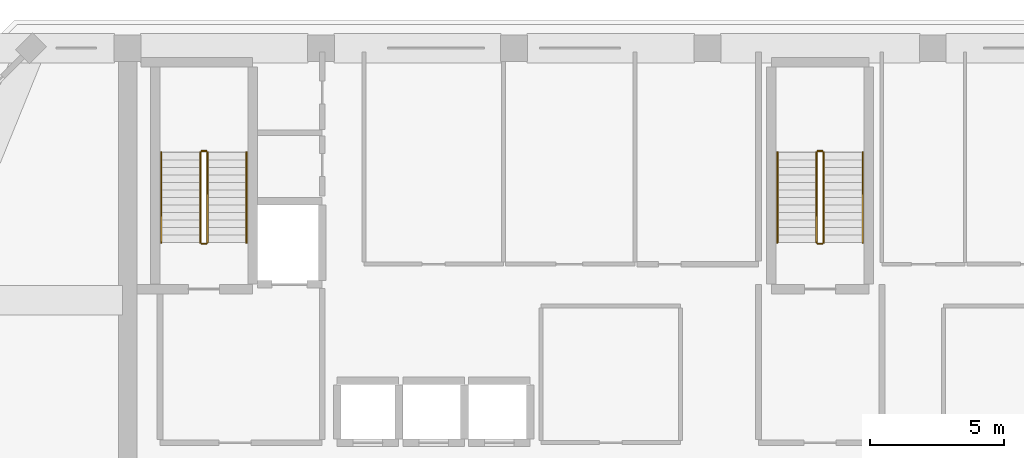
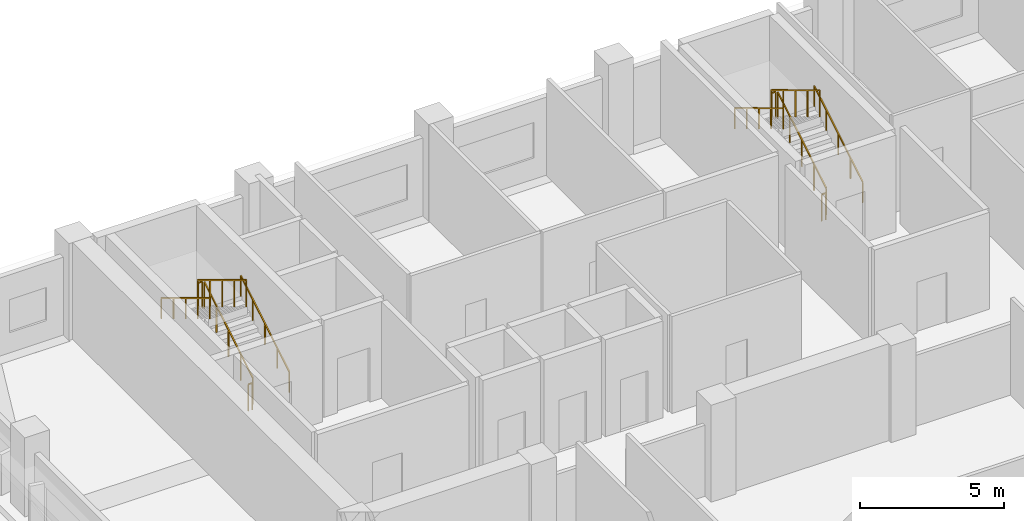
# One storey, part 11 of 12: 12 railings.
"""IFC4 building model written with IfcOpenShell, lengths in metres."""

import ifcopenshell
import ifcopenshell.guid

model = None  # the IFC model being written
_history = None  # IfcOwnerHistory: only IFC2X3 demands one
_inside = {}  # id of a spatial element -> (the spatial element, [elements in it])
_under = {}  # id of a project, library or spatial element -> (it, [spatial elements below it])
_declared = {}  # id of a project -> (the project, [libraries it declares])
_typed = {}  # id of a type object -> (the type object, [elements of that type])
_made_of = {}  # id of a material, layer set ... -> (it, [elements and type objects made of it])


def new_model(schema):
    """Start an empty IFC model of exactly this schema.

    Asked for "IFC4X3", IfcOpenShell would pick the latest addendum, in which some entities
    have other attributes; the version numbers below select the first issue.
    IFC2X3 requires an IfcOwnerHistory on every rooted entity: one is made here for all.
    """
    global model, _history
    if schema == "IFC4X3":
        model = ifcopenshell.file(schema_version=(4, 3, 0, 0))
    else:
        model = ifcopenshell.file(schema=schema)
    _inside.clear()
    _under.clear()
    _declared.clear()
    _typed.clear()
    _made_of.clear()
    _history = None
    if model.schema == "IFC2X3":
        org = make("IfcOrganization", Name="unknown")
        user = make(
            "IfcPersonAndOrganization",
            ThePerson=make("IfcPerson", FamilyName="unknown"),
            TheOrganization=org,
        )
        app = make(
            "IfcApplication",
            ApplicationDeveloper=org,
            Version="unknown",
            ApplicationFullName="unknown",
            ApplicationIdentifier="unknown",
        )
        _history = make(
            "IfcOwnerHistory",
            OwningUser=user,
            OwningApplication=app,
            ChangeAction="ADDED",
            CreationDate=0,
        )
    return model


def make(cls, **values):
    """One entity of the class cls with the attributes given. An attribute that is None is left unset."""
    return model.create_entity(
        cls, **{name: value for name, value in values.items() if value is not None}
    )


def rooted(cls, **values):
    """An entity with a GlobalId (a new one), such as an element, a storey or a relation."""
    return make(cls, GlobalId=ifcopenshell.guid.new(), OwnerHistory=_history, **values)


def si_unit(unit_type, name, prefix=None):
    """IfcSIUnit, for example si_unit("LENGTHUNIT", "METRE", prefix="MILLI")."""
    return make("IfcSIUnit", UnitType=unit_type, Prefix=prefix, Name=name)


def assignment(units):
    """IfcUnitAssignment: the units of a project."""
    return None if units is None else make("IfcUnitAssignment", Units=units)


def point(xyz):
    """IfcCartesianPoint."""
    return None if xyz is None else make("IfcCartesianPoint", Coordinates=xyz)


def direction(xyz):
    """IfcDirection."""
    return None if xyz is None else make("IfcDirection", DirectionRatios=xyz)


def frame(location, z_axis=None, x_axis=None):
    """IfcAxis2Placement3D, a coordinate frame: its origin and axes. An axis left out is left unset."""
    return make(
        "IfcAxis2Placement3D",
        Location=point(location),
        Axis=direction(z_axis),
        RefDirection=direction(x_axis),
    )


def frame_2d(location, x_axis=None):
    """IfcAxis2Placement2D, a coordinate frame in the plane: its origin and x axis."""
    return make(
        "IfcAxis2Placement2D", Location=point(location), RefDirection=direction(x_axis)
    )


def origin():
    """The frame at (0, 0, 0) with its axes left unset."""
    return frame((0.0, 0.0, 0.0))


def origin_2d():
    """The frame at (0, 0) in the plane with its x axis left unset."""
    return frame_2d((0.0, 0.0))


def place(relative_to, where):
    """IfcLocalPlacement: puts the frame where relative to a parent placement (None: the world)."""
    return make(
        "IfcLocalPlacement", PlacementRelTo=relative_to, RelativePlacement=where
    )


def context(
    kind, dimensions, precision=None, world=None, true_north=None, identifier=None
):
    """IfcGeometricRepresentationContext, for example the 3D "Model" context."""
    return make(
        "IfcGeometricRepresentationContext",
        ContextIdentifier=identifier,
        ContextType=kind,
        CoordinateSpaceDimension=dimensions,
        Precision=precision,
        WorldCoordinateSystem=world,
        TrueNorth=true_north,
    )


def subcontext(parent, identifier, kind, view, scale=None):
    """IfcGeometricRepresentationSubContext, for example "Body" below "Model"."""
    return make(
        "IfcGeometricRepresentationSubContext",
        ContextIdentifier=identifier,
        ContextType=kind,
        ParentContext=parent,
        TargetScale=scale,
        TargetView=view,
    )


def project(units=None, contexts=None):
    """IfcProject with its units and contexts."""
    return rooted(
        "IfcProject",
        Name="project",
        RepresentationContexts=contexts,
        UnitsInContext=assignment(units),
    )


def spatial(cls, under=None, at=None, **own):
    """A site, building, storey or space (cls), placed at a placement, below another one or the project."""
    s = rooted(cls, ObjectPlacement=at, **own)
    if under is not None:
        _under.setdefault(under.id(), (under, []))[1].append(s)
    return s


def profile(cls, at=None, kind="AREA", **sizes):
    """A parametric profile (cls). Its sizes go by their IFC names, for example OverallWidth=200.0."""
    return make(cls, ProfileType=kind, Position=at, **sizes)


def rectangle(**sizes):
    """IfcRectangleProfileDef."""
    return profile("IfcRectangleProfileDef", **sizes)


def extrude(swept, where, along, depth):
    """IfcExtrudedAreaSolid: the profile swept, set in the frame where, extruded along a direction by depth."""
    return make(
        "IfcExtrudedAreaSolid",
        SweptArea=swept,
        Position=where,
        ExtrudedDirection=direction(along),
        Depth=depth,
    )


def shape(context_of_items, identifier, shape_type, items):
    """IfcShapeRepresentation: the items that make up one representation, for example the "Body"."""
    return make(
        "IfcShapeRepresentation",
        ContextOfItems=context_of_items,
        RepresentationIdentifier=identifier,
        RepresentationType=shape_type,
        Items=items,
    )


def material(Name=None, Category=None):
    """IfcMaterial."""
    return make("IfcMaterial", Name=Name, Category=Category)


def made_of(thing, what):
    """Note that an element or type object is made of a material, layer set ...; save() writes the relation."""
    if what is not None:
        _made_of.setdefault(what.id(), (what, []))[1].append(thing)
    return thing


def type_object(cls, material=None, **own):
    """A type object (cls), such as IfcWallType, which elements share."""
    return made_of(rooted(cls, **own), material)


def element(
    cls,
    number,
    at=None,
    inside=None,
    cuts=None,
    type_object=None,
    material=None,
    context=None,
    identifier="Body",
    shape_type=None,
    held_by="IfcProductDefinitionShape",
    body=None,
    shapes=None,
    **own,
):
    """One element of the class cls, such as IfcWall. Its Tag is "e" and its number.

    at: its placement. inside: the storey or other place that contains it. cuts: it is an
    opening in that element (IfcRelVoidsElement). A single representation is given by context,
    identifier, shape_type and body (its items); several are given by shapes. held_by: the class
    of the entity that holds the representations. save() writes the other relations.
    """
    e = rooted(cls, Tag="e%d" % number, ObjectPlacement=at, **own)
    if body is not None:
        shapes = [shape(context, identifier, shape_type, body)]
    if shapes is not None:
        e.Representation = make(held_by, Representations=shapes)
    if inside is not None:
        _inside.setdefault(inside.id(), (inside, []))[1].append(e)
    if cuts is not None:
        rooted(
            "IfcRelVoidsElement", RelatingBuildingElement=cuts, RelatedOpeningElement=e
        )
    if type_object is not None:
        _typed.setdefault(type_object.id(), (type_object, []))[1].append(e)
    return made_of(e, material)


def aggregate(whole, parts):
    """IfcRelAggregates: a whole, such as a stair, and the parts it consists of."""
    return rooted("IfcRelAggregates", RelatingObject=whole, RelatedObjects=parts)


def save(model, path):
    """Write the relations noted so far, then the file.

    IfcRelAggregates (storeys below a building ...), IfcRelContainedInSpatialStructure (elements
    in a storey), IfcRelDefinesByType, IfcRelAssociatesMaterial and IfcRelDeclares: one each for
    every whole, place, type object, material and project.
    """
    for whole, parts in _under.values():
        aggregate(whole, parts)
    for where, things in _inside.values():
        rooted(
            "IfcRelContainedInSpatialStructure",
            RelatedElements=things,
            RelatingStructure=where,
        )
    for kind, things in _typed.values():
        rooted("IfcRelDefinesByType", RelatedObjects=things, RelatingType=kind)
    for what, things in _made_of.values():
        rooted("IfcRelAssociatesMaterial", RelatedObjects=things, RelatingMaterial=what)
    for by, libraries in _declared.values():
        rooted("IfcRelDeclares", RelatingContext=by, RelatedDefinitions=libraries)
    model.write(path)


model = new_model("IFC4")

# Units and contexts
model_context = context("Model", 3, precision=1e-05, world=origin(), true_north=direction((0.0, 1.0)))
body_context = subcontext(model_context, "Body", "Model", "MODEL_VIEW")
ifc_project = project(units=[si_unit("LENGTHUNIT", "METRE"), si_unit("AREAUNIT", "SQUARE_METRE"), si_unit("VOLUMEUNIT", "CUBIC_METRE"), si_unit("PLANEANGLEUNIT", "RADIAN"), si_unit("MASSUNIT", "GRAM", prefix="KILO")], contexts=[model_context])

# Site, building, storey
site_placement = place(None, origin())
site = spatial("IfcSite", under=ifc_project, at=site_placement, CompositionType="ELEMENT")
building_placement = place(site_placement, origin())
building = spatial("IfcBuilding", under=site, at=building_placement, Name="Kaelvorn Grand Hotel", CompositionType="ELEMENT")
storey_placement = place(building_placement, frame((0.0, 0.0, 285.89990234375)))
storey = spatial("IfcBuildingStorey", under=building, at=storey_placement, Name="L70", CompositionType="ELEMENT", Elevation=285.89990234375)

# Railings
ifc_material = material(Name="Stainless Steel", Category="steel")
railing_type_1 = type_object("IfcRailingType", Name="RL-HANDRAIL-900", PredefinedType="HANDRAIL", material=ifc_material)
railing_1_placement = place(storey_placement, frame((20.6298828125, 41.760009765625, 0.16943359375)))
element("IfcRailing", 1, at=railing_1_placement, inside=storey, type_object=railing_type_1, Name="L70 ST1 stair handrail 1", PredefinedType="HANDRAIL", context=body_context, shape_type="SweptSolid", body=[
    extrude(rectangle(XDim=0.048095703125, YDim=0.048095703125, at=origin_2d()), frame((0.0, 0.0, 0.8759765625), z_axis=(0.0, 0.855836976705, 0.517245656632), x_axis=(-1.0, 0.0, 0.0)), (0.0, 0.0, 1.0), 3.926025390625),
    extrude(rectangle(XDim=0.0419921875, YDim=0.0419921875, at=origin_2d()), origin(), (0.0, 0.0, 1.0), 0.851806640625),
    extrude(rectangle(XDim=0.0419921875, YDim=0.0419921875, at=origin_2d()), frame((0.0, 0.840087890625, 0.5078125)), (0.0, 0.0, 1.0), 0.851806640625),
    extrude(rectangle(XDim=0.0419921875, YDim=0.0419921875, at=origin_2d()), frame((0.0, 1.68017578125, 1.015380859375)), (0.0, 0.0, 1.0), 0.851806640625),
    extrude(rectangle(XDim=0.0419921875, YDim=0.0419921875, at=origin_2d()), frame((0.0, 2.52001953125, 1.52294921875)), (0.0, 0.0, 1.0), 0.851806640625),
    extrude(rectangle(XDim=0.0419921875, YDim=0.0419921875, at=origin_2d()), frame((0.0, 3.360107421875, 2.03076171875)), (0.0, 0.0, 1.0), 0.851806640625),
])
railing_2_placement = place(storey_placement, frame((17.449951171875, 45.1201171875, 2.369384765625)))
element("IfcRailing", 2, at=railing_2_placement, inside=storey, type_object=railing_type_1, Name="L70 ST1 stair handrail 2", PredefinedType="HANDRAIL", context=body_context, shape_type="SweptSolid", body=[
    extrude(rectangle(XDim=0.048095703125, YDim=0.048095703125, at=origin_2d()), frame((0.0, 0.0, 0.8759765625), z_axis=(0.0, -0.855836976705, 0.517245656632), x_axis=(1.0, 0.0, 0.0)), (0.0, 0.0, 1.0), 3.926025390625),
    extrude(rectangle(XDim=0.0419921875, YDim=0.0419921875, at=origin_2d()), origin(), (0.0, 0.0, 1.0), 0.851806640625),
    extrude(rectangle(XDim=0.0419921875, YDim=0.0419921875, at=origin_2d()), frame((0.0, -0.840087890625, 0.5078125)), (0.0, 0.0, 1.0), 0.851806640625),
    extrude(rectangle(XDim=0.0419921875, YDim=0.0419921875, at=origin_2d()), frame((0.0, -1.68017578125, 1.015380859375)), (0.0, 0.0, 1.0), 0.851806640625),
    extrude(rectangle(XDim=0.0419921875, YDim=0.0419921875, at=origin_2d()), frame((0.0, -2.52001953125, 1.52294921875)), (0.0, 0.0, 1.0), 0.851806640625),
    extrude(rectangle(XDim=0.0419921875, YDim=0.0419921875, at=origin_2d()), frame((0.0, -3.360107421875, 2.03076171875)), (0.0, 0.0, 1.0), 0.851806640625),
])
railing_3_placement = place(storey_placement, frame((43.590087890625, 41.760009765625, 0.16943359375)))
element("IfcRailing", 3, at=railing_3_placement, inside=storey, type_object=railing_type_1, Name="L70 ST2 stair handrail 1", PredefinedType="HANDRAIL", context=body_context, shape_type="SweptSolid", body=[
    extrude(rectangle(XDim=0.048095703125, YDim=0.048095703125, at=origin_2d()), frame((0.0, 0.0, 0.8759765625), z_axis=(0.0, 0.855836976705, 0.517245656632), x_axis=(-1.0, 0.0, 0.0)), (0.0, 0.0, 1.0), 3.926025390625),
    extrude(rectangle(XDim=0.0419921875, YDim=0.0419921875, at=origin_2d()), origin(), (0.0, 0.0, 1.0), 0.851806640625),
    extrude(rectangle(XDim=0.0419921875, YDim=0.0419921875, at=origin_2d()), frame((0.0, 0.840087890625, 0.5078125)), (0.0, 0.0, 1.0), 0.851806640625),
    extrude(rectangle(XDim=0.0419921875, YDim=0.0419921875, at=origin_2d()), frame((0.0, 1.68017578125, 1.015380859375)), (0.0, 0.0, 1.0), 0.851806640625),
    extrude(rectangle(XDim=0.0419921875, YDim=0.0419921875, at=origin_2d()), frame((0.0, 2.52001953125, 1.52294921875)), (0.0, 0.0, 1.0), 0.851806640625),
    extrude(rectangle(XDim=0.0419921875, YDim=0.0419921875, at=origin_2d()), frame((0.0, 3.360107421875, 2.03076171875)), (0.0, 0.0, 1.0), 0.851806640625),
])
railing_4_placement = place(storey_placement, frame((40.409912109375, 45.1201171875, 2.369384765625)))
element("IfcRailing", 4, at=railing_4_placement, inside=storey, type_object=railing_type_1, Name="L70 ST2 stair handrail 2", PredefinedType="HANDRAIL", context=body_context, shape_type="SweptSolid", body=[
    extrude(rectangle(XDim=0.048095703125, YDim=0.048095703125, at=origin_2d()), frame((0.0, 0.0, 0.8759765625), z_axis=(0.0, -0.855836976705, 0.517245656632), x_axis=(1.0, 0.0, 0.0)), (0.0, 0.0, 1.0), 3.926025390625),
    extrude(rectangle(XDim=0.0419921875, YDim=0.0419921875, at=origin_2d()), origin(), (0.0, 0.0, 1.0), 0.851806640625),
    extrude(rectangle(XDim=0.0419921875, YDim=0.0419921875, at=origin_2d()), frame((0.0, -0.840087890625, 0.5078125)), (0.0, 0.0, 1.0), 0.851806640625),
    extrude(rectangle(XDim=0.0419921875, YDim=0.0419921875, at=origin_2d()), frame((0.0, -1.68017578125, 1.015380859375)), (0.0, 0.0, 1.0), 0.851806640625),
    extrude(rectangle(XDim=0.0419921875, YDim=0.0419921875, at=origin_2d()), frame((0.0, -2.52001953125, 1.52294921875)), (0.0, 0.0, 1.0), 0.851806640625),
    extrude(rectangle(XDim=0.0419921875, YDim=0.0419921875, at=origin_2d()), frame((0.0, -3.360107421875, 2.03076171875)), (0.0, 0.0, 1.0), 0.851806640625),
])
railing_type_2 = type_object("IfcRailingType", Name="RL-STAIR-GUARD-1150", PredefinedType="BALUSTRADE", material=ifc_material)
railing_5_placement = place(storey_placement, frame((19.169921875, 41.760009765625, 0.16943359375)))
element("IfcRailing", 5, at=railing_5_placement, inside=storey, type_object=railing_type_2, Name="L70 ST1 stair guard 1", PredefinedType="BALUSTRADE", context=body_context, shape_type="SweptSolid", body=[
    extrude(rectangle(XDim=0.048095703125, YDim=0.048095703125, at=origin_2d()), frame((0.0, 0.0, 1.1259765625), z_axis=(0.0, 0.855836976705, 0.517245656632), x_axis=(-1.0, 0.0, 0.0)), (0.0, 0.0, 1.0), 3.926025390625),
    extrude(rectangle(XDim=0.0419921875, YDim=0.0419921875, at=origin_2d()), origin(), (0.0, 0.0, 1.0), 1.101806640625),
    extrude(rectangle(XDim=0.0419921875, YDim=0.0419921875, at=origin_2d()), frame((0.0, 0.840087890625, 0.5078125)), (0.0, 0.0, 1.0), 1.101806640625),
    extrude(rectangle(XDim=0.0419921875, YDim=0.0419921875, at=origin_2d()), frame((0.0, 1.68017578125, 1.015380859375)), (0.0, 0.0, 1.0), 1.101806640625),
    extrude(rectangle(XDim=0.0419921875, YDim=0.0419921875, at=origin_2d()), frame((0.0, 2.52001953125, 1.52294921875)), (0.0, 0.0, 1.0), 1.101806640625),
    extrude(rectangle(XDim=0.0419921875, YDim=0.0419921875, at=origin_2d()), frame((0.0, 3.360107421875, 2.03076171875)), (0.0, 0.0, 1.0), 1.101806640625),
])
railing_6_placement = place(storey_placement, frame((19.1201171875, 45.169921875, 2.2001953125)))
element("IfcRailing", 6, at=railing_6_placement, inside=storey, type_object=railing_type_2, Name="L70 ST1 stair guard 2", PredefinedType="BALUSTRADE", context=body_context, shape_type="SweptSolid", body=[
    extrude(rectangle(XDim=0.048095703125, YDim=0.048095703125, at=origin_2d()), frame((0.0, 0.0, 1.1259765625), z_axis=(-1.0, 0.0, 0.0), x_axis=(0.0, -1.0, 0.0)), (0.0, 0.0, 1.0), 0.16015625),
    extrude(rectangle(XDim=0.0419921875, YDim=0.0419921875, at=origin_2d()), origin(), (0.0, 0.0, 1.0), 1.101806640625),
    extrude(rectangle(XDim=0.0419921875, YDim=0.0419921875, at=origin_2d()), frame((-0.16015625, 0.0, 0.0)), (0.0, 0.0, 1.0), 1.101806640625),
])
railing_7_placement = place(storey_placement, frame((18.909912109375, 45.1201171875, 2.369384765625)))
element("IfcRailing", 7, at=railing_7_placement, inside=storey, type_object=railing_type_2, Name="L70 ST1 stair guard 3", PredefinedType="BALUSTRADE", context=body_context, shape_type="SweptSolid", body=[
    extrude(rectangle(XDim=0.048095703125, YDim=0.048095703125, at=origin_2d()), frame((0.0, 0.0, 1.1259765625), z_axis=(0.0, -0.855836976705, 0.517245656632), x_axis=(1.0, 0.0, 0.0)), (0.0, 0.0, 1.0), 3.926025390625),
    extrude(rectangle(XDim=0.0419921875, YDim=0.0419921875, at=origin_2d()), origin(), (0.0, 0.0, 1.0), 1.101806640625),
    extrude(rectangle(XDim=0.0419921875, YDim=0.0419921875, at=origin_2d()), frame((0.0, -0.840087890625, 0.5078125)), (0.0, 0.0, 1.0), 1.101806640625),
    extrude(rectangle(XDim=0.0419921875, YDim=0.0419921875, at=origin_2d()), frame((0.0, -1.68017578125, 1.015380859375)), (0.0, 0.0, 1.0), 1.101806640625),
    extrude(rectangle(XDim=0.0419921875, YDim=0.0419921875, at=origin_2d()), frame((0.0, -2.52001953125, 1.52294921875)), (0.0, 0.0, 1.0), 1.101806640625),
    extrude(rectangle(XDim=0.0419921875, YDim=0.0419921875, at=origin_2d()), frame((0.0, -3.360107421875, 2.03076171875)), (0.0, 0.0, 1.0), 1.101806640625),
])
railing_8_placement = place(storey_placement, frame((19.1201171875, 41.7099609375, 0.0)))
element("IfcRailing", 8, at=railing_8_placement, inside=storey, type_object=railing_type_2, Name="L70 ST1 stair guard 4", PredefinedType="BALUSTRADE", context=body_context, shape_type="SweptSolid", body=[
    extrude(rectangle(XDim=0.048095703125, YDim=0.048095703125, at=origin_2d()), frame((0.0, 0.0, 1.1259765625), z_axis=(-1.0, 0.0, 0.0), x_axis=(0.0, -1.0, 0.0)), (0.0, 0.0, 1.0), 0.16015625),
    extrude(rectangle(XDim=0.0419921875, YDim=0.0419921875, at=origin_2d()), origin(), (0.0, 0.0, 1.0), 1.101806640625),
    extrude(rectangle(XDim=0.0419921875, YDim=0.0419921875, at=origin_2d()), frame((-0.16015625, 0.0, 0.0)), (0.0, 0.0, 1.0), 1.101806640625),
])
railing_9_placement = place(storey_placement, frame((42.1298828125, 41.760009765625, 0.16943359375)))
element("IfcRailing", 9, at=railing_9_placement, inside=storey, type_object=railing_type_2, Name="L70 ST2 stair guard 1", PredefinedType="BALUSTRADE", context=body_context, shape_type="SweptSolid", body=[
    extrude(rectangle(XDim=0.048095703125, YDim=0.048095703125, at=origin_2d()), frame((0.0, 0.0, 1.1259765625), z_axis=(0.0, 0.855836976705, 0.517245656632), x_axis=(-1.0, 0.0, 0.0)), (0.0, 0.0, 1.0), 3.926025390625),
    extrude(rectangle(XDim=0.0419921875, YDim=0.0419921875, at=origin_2d()), origin(), (0.0, 0.0, 1.0), 1.101806640625),
    extrude(rectangle(XDim=0.0419921875, YDim=0.0419921875, at=origin_2d()), frame((0.0, 0.840087890625, 0.5078125)), (0.0, 0.0, 1.0), 1.101806640625),
    extrude(rectangle(XDim=0.0419921875, YDim=0.0419921875, at=origin_2d()), frame((0.0, 1.68017578125, 1.015380859375)), (0.0, 0.0, 1.0), 1.101806640625),
    extrude(rectangle(XDim=0.0419921875, YDim=0.0419921875, at=origin_2d()), frame((0.0, 2.52001953125, 1.52294921875)), (0.0, 0.0, 1.0), 1.101806640625),
    extrude(rectangle(XDim=0.0419921875, YDim=0.0419921875, at=origin_2d()), frame((0.0, 3.360107421875, 2.03076171875)), (0.0, 0.0, 1.0), 1.101806640625),
])
railing_10_placement = place(storey_placement, frame((42.080078125, 45.169921875, 2.2001953125)))
element("IfcRailing", 10, at=railing_10_placement, inside=storey, type_object=railing_type_2, Name="L70 ST2 stair guard 2", PredefinedType="BALUSTRADE", context=body_context, shape_type="SweptSolid", body=[
    extrude(rectangle(XDim=0.048095703125, YDim=0.048095703125, at=origin_2d()), frame((0.0, 0.0, 1.1259765625), z_axis=(-1.0, 0.0, 0.0), x_axis=(0.0, -1.0, 0.0)), (0.0, 0.0, 1.0), 0.16015625),
    extrude(rectangle(XDim=0.0419921875, YDim=0.0419921875, at=origin_2d()), origin(), (0.0, 0.0, 1.0), 1.101806640625),
    extrude(rectangle(XDim=0.0419921875, YDim=0.0419921875, at=origin_2d()), frame((-0.16015625, 0.0, 0.0)), (0.0, 0.0, 1.0), 1.101806640625),
])
railing_11_placement = place(storey_placement, frame((41.8701171875, 45.1201171875, 2.369384765625)))
element("IfcRailing", 11, at=railing_11_placement, inside=storey, type_object=railing_type_2, Name="L70 ST2 stair guard 3", PredefinedType="BALUSTRADE", context=body_context, shape_type="SweptSolid", body=[
    extrude(rectangle(XDim=0.048095703125, YDim=0.048095703125, at=origin_2d()), frame((0.0, 0.0, 1.1259765625), z_axis=(0.0, -0.855836976705, 0.517245656632), x_axis=(1.0, 0.0, 0.0)), (0.0, 0.0, 1.0), 3.926025390625),
    extrude(rectangle(XDim=0.0419921875, YDim=0.0419921875, at=origin_2d()), origin(), (0.0, 0.0, 1.0), 1.101806640625),
    extrude(rectangle(XDim=0.0419921875, YDim=0.0419921875, at=origin_2d()), frame((0.0, -0.840087890625, 0.5078125)), (0.0, 0.0, 1.0), 1.101806640625),
    extrude(rectangle(XDim=0.0419921875, YDim=0.0419921875, at=origin_2d()), frame((0.0, -1.68017578125, 1.015380859375)), (0.0, 0.0, 1.0), 1.101806640625),
    extrude(rectangle(XDim=0.0419921875, YDim=0.0419921875, at=origin_2d()), frame((0.0, -2.52001953125, 1.52294921875)), (0.0, 0.0, 1.0), 1.101806640625),
    extrude(rectangle(XDim=0.0419921875, YDim=0.0419921875, at=origin_2d()), frame((0.0, -3.360107421875, 2.03076171875)), (0.0, 0.0, 1.0), 1.101806640625),
])
railing_12_placement = place(storey_placement, frame((42.080078125, 41.7099609375, 0.0)))
element("IfcRailing", 12, at=railing_12_placement, inside=storey, type_object=railing_type_2, Name="L70 ST2 stair guard 4", PredefinedType="BALUSTRADE", context=body_context, shape_type="SweptSolid", body=[
    extrude(rectangle(XDim=0.048095703125, YDim=0.048095703125, at=origin_2d()), frame((0.0, 0.0, 1.1259765625), z_axis=(-1.0, 0.0, 0.0), x_axis=(0.0, -1.0, 0.0)), (0.0, 0.0, 1.0), 0.16015625),
    extrude(rectangle(XDim=0.0419921875, YDim=0.0419921875, at=origin_2d()), origin(), (0.0, 0.0, 1.0), 1.101806640625),
    extrude(rectangle(XDim=0.0419921875, YDim=0.0419921875, at=origin_2d()), frame((-0.16015625, 0.0, 0.0)), (0.0, 0.0, 1.0), 1.101806640625),
])

save(model, "model.ifc")
